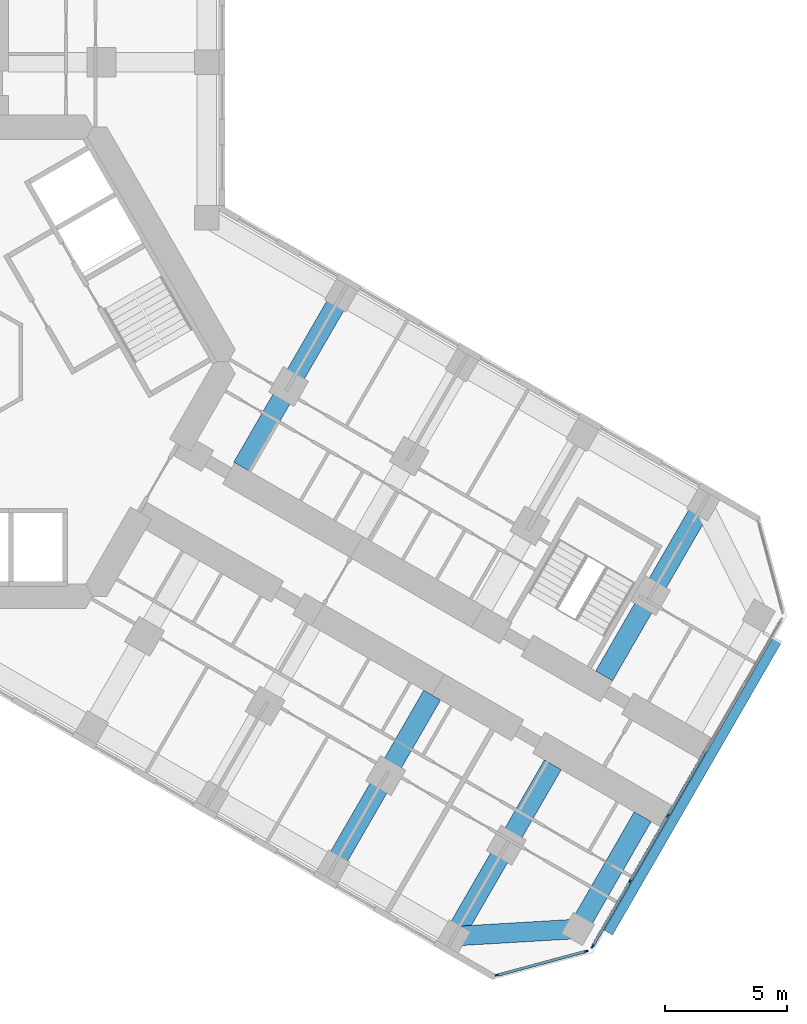
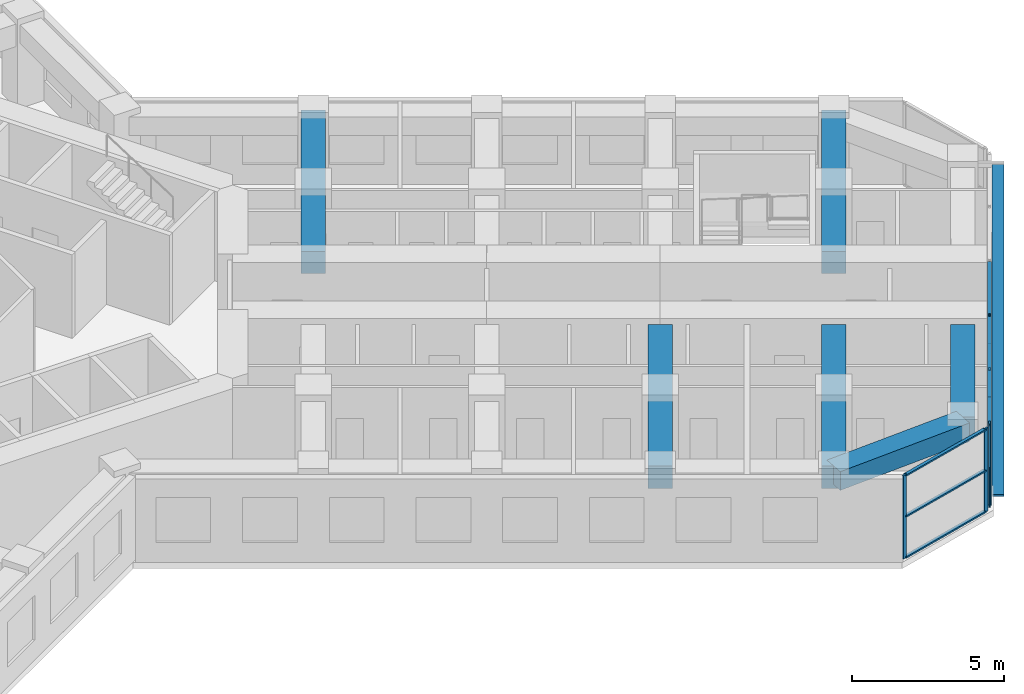
# One storey, part 5 of 21: 15 members, 6 beams, 2 elements without a shape of their own.
"""IFC4 building model written with IfcOpenShell, lengths in metres."""

from ifc_helpers import new_model, si_unit, direction, frame, origin, origin_2d, place, context, subcontext, project, spatial, rectangle, extrude, material, material_profile, profile_set, type_object, element, aggregate, save


model = new_model("IFC4")

# Units and contexts
model_context = context("Model", 3, precision=1e-05, world=origin(), true_north=direction((0.0, 1.0)))
body_context = subcontext(model_context, "Body", "Model", "MODEL_VIEW")
ifc_project = project(units=[si_unit("LENGTHUNIT", "METRE"), si_unit("AREAUNIT", "SQUARE_METRE"), si_unit("VOLUMEUNIT", "CUBIC_METRE"), si_unit("PLANEANGLEUNIT", "RADIAN"), si_unit("MASSUNIT", "GRAM", prefix="KILO")], contexts=[model_context])

# Site, building, storey
site_placement = place(None, origin())
site = spatial("IfcSite", under=ifc_project, at=site_placement, CompositionType="ELEMENT")
building_placement = place(site_placement, origin())
building = spatial("IfcBuilding", under=site, at=building_placement, Name="Kosmar Iwan School Tower", CompositionType="ELEMENT")
storey_placement = place(building_placement, frame((0.0, 0.0, 61.0)))
storey = spatial("IfcBuildingStorey", under=building, at=storey_placement, Name="L14", CompositionType="ELEMENT", Elevation=61.0)

# Member
ifc_material_1 = material(Name="Black anodised aluminium", Category="aluminium")
ifc_material_profile_1 = material_profile(ifc_material_1, rectangle(XDim=0.10009765625, YDim=0.39990234375, at=origin_2d()), Name="FIN 100x400")
ifc_profile_set_1 = profile_set([ifc_material_profile_1], Name="Black anodised aluminium")
member_type_1 = type_object("IfcMemberType", Name="Diagonal fin 100x400", PredefinedType="USERDEFINED", material=ifc_profile_set_1)
member_1_placement = place(storey_placement, frame((26.645263671875, -23.34912109375, -0.14990234375), z_axis=(0.483795538458, 0.837973939202, 0.252470897702), x_axis=(-0.126233699175, -0.218647221293, 0.967604488318)))
element("IfcMember", 1, at=member_1_placement, inside=storey, type_object=member_type_1, Name="Diagonal fin L14-F03", ObjectType="FIN", PredefinedType="USERDEFINED", context=body_context, shape_type="SweptSolid", body=[
    extrude(rectangle(XDim=0.10009765625, YDim=0.39990234375, at=origin_2d()), origin(), (0.0, 0.0, 1.0), 14.258544921875),
])

# Curtain wall, members
ifc_material_2 = material(Name="Dark glass in black aluminium frame", Category="aluminium")
curtain_wall_type_1 = type_object("IfcCurtainWallType", Name="Chamfer curtain wall dark glass", PredefinedType="USERDEFINED", material=ifc_material_2)
curtain_wall_1_placement = place(storey_placement, origin())
curtain_wall_1 = element("IfcCurtainWall", 2, at=curtain_wall_1_placement, inside=storey, type_object=curtain_wall_type_1, Name="Curtain wall L14-F02", ObjectType="FACETED CURTAIN WALL", PredefinedType="USERDEFINED")
ifc_material_3 = material(Name="Black anodised aluminium", Category="aluminium")
ifc_material_profile_2 = material_profile(ifc_material_3, rectangle(XDim=0.06005859375, YDim=0.159912109375, at=origin_2d()), Name="MULLION 60x160")
ifc_profile_set_2 = profile_set([ifc_material_profile_2], Name="Black anodised aluminium")
member_type_2 = type_object("IfcMemberType", Name="Mullion 60x160", PredefinedType="MULLION", material=ifc_profile_set_2)
member_2_placement = place(storey_placement, frame((22.0830078125, -25.102294921875, 0.0), z_axis=(0.0, 0.0, 1.0), x_axis=(-0.258818861462, 0.965925875495, 0.0)))
member_2 = element("IfcMember", 3, at=member_2_placement, type_object=member_type_2, Name="CW2 mullion 1", PredefinedType="MULLION", context=body_context, shape_type="SweptSolid", body=[
    extrude(rectangle(XDim=0.06005859375, YDim=0.159912109375, at=origin_2d()), origin(), (0.0, 0.0, 1.0), 3.35009765625),
])
member_3_placement = place(storey_placement, frame((25.733154296875, -24.124267578125, 0.0), z_axis=(0.0, 0.0, 1.0), x_axis=(-0.258818861462, 0.965925875495, 0.0)))
member_3 = element("IfcMember", 4, at=member_3_placement, type_object=member_type_2, Name="CW2 mullion 2", PredefinedType="MULLION", context=body_context, shape_type="SweptSolid", body=[
    extrude(rectangle(XDim=0.06005859375, YDim=0.159912109375, at=origin_2d()), origin(), (0.0, 0.0, 1.0), 3.35009765625),
])

ifc_material_4 = material(Name="Dark glass in black aluminium frame", Category="aluminium")
curtain_wall_type_2 = type_object("IfcCurtainWallType", Name="Tower curtain wall dark glass", PredefinedType="USERDEFINED", material=ifc_material_4)
curtain_wall_2_placement = place(storey_placement, origin())
curtain_wall_2 = element("IfcCurtainWall", 5, at=curtain_wall_2_placement, inside=storey, type_object=curtain_wall_type_2, Name="Curtain wall L14-F03", ObjectType="UNITISED CURTAIN WALL", PredefinedType="USERDEFINED")
member_4_placement = place(storey_placement, frame((25.9970703125, -23.921630859375, 0.0), z_axis=(0.0, 0.0, 1.0), x_axis=(-0.866025405329, 0.499999997325, 0.0)))
member_4 = element("IfcMember", 6, at=member_4_placement, type_object=member_type_2, Name="CW1 mullion 1", PredefinedType="MULLION", context=body_context, shape_type="SweptSolid", body=[
    extrude(rectangle(XDim=0.06005859375, YDim=0.159912109375, at=origin_2d()), origin(), (0.0, 0.0, 1.0), 3.35009765625),
])
member_5_placement = place(storey_placement, frame((27.53173828125, -21.263671875, 0.0), z_axis=(0.0, 0.0, 1.0), x_axis=(-0.866025405329, 0.499999997325, 0.0)))
member_5 = element("IfcMember", 7, at=member_5_placement, type_object=member_type_2, Name="CW1 mullion 2", PredefinedType="MULLION", context=body_context, shape_type="SweptSolid", body=[
    extrude(rectangle(XDim=0.06005859375, YDim=0.159912109375, at=origin_2d()), origin(), (0.0, 0.0, 1.0), 3.35009765625),
])
member_6_placement = place(storey_placement, frame((29.081298828125, -18.57958984375, 0.0), z_axis=(0.0, 0.0, 1.0), x_axis=(-0.866025405329, 0.499999997325, 0.0)))
member_6 = element("IfcMember", 8, at=member_6_placement, type_object=member_type_2, Name="CW1 mullion 3", PredefinedType="MULLION", context=body_context, shape_type="SweptSolid", body=[
    extrude(rectangle(XDim=0.06005859375, YDim=0.159912109375, at=origin_2d()), origin(), (0.0, 0.0, 1.0), 3.35009765625),
])

# Beams
ifc_material_5 = material(Name="Concrete C50/60", Category="concrete")
ifc_material_profile_3 = material_profile(ifc_material_5, rectangle(XDim=0.800048828125, YDim=0.75, at=origin_2d()), Name="RC 800x750")
ifc_profile_set_3 = profile_set([ifc_material_profile_3], Name="Concrete C50/60")
beam_type_1 = type_object("IfcBeamType", Name="RC tip beam 800x750", PredefinedType="BEAM", material=ifc_profile_set_3)
beam_1_placement = place(storey_placement, frame((20.31787109375, -23.508544921875, 2.97509765625), z_axis=(0.998260616478, 0.058955420358, 0.0), x_axis=(-0.058955420358, 0.998260616478, 0.0)))
element("IfcBeam", 9, at=beam_1_placement, inside=storey, type_object=beam_type_1, Name="Tip beam CR", PredefinedType="BEAM", context=body_context, shape_type="SweptSolid", body=[
    extrude(rectangle(XDim=0.800048828125, YDim=0.75, at=origin_2d()), origin(), (0.0, 0.0, 1.0), 5.08935546875),
])
beam_2_placement = place(storey_placement, frame((25.3984375, -23.20849609375, 2.97509765625), z_axis=(0.499993606316, 0.866029095148, 0.0), x_axis=(-0.866029095148, 0.499993606316, 0.0)))
element("IfcBeam", 10, at=beam_2_placement, inside=storey, type_object=beam_type_1, Name="Tip beam CR to corridor wall", PredefinedType="BEAM", context=body_context, shape_type="SweptSolid", body=[
    extrude(rectangle(XDim=0.800048828125, YDim=0.75, at=origin_2d()), origin(), (0.0, 0.0, 1.0), 5.2998046875),
])
ifc_material_6 = material(Name="Concrete C50/60", Category="concrete")
ifc_material_profile_4 = material_profile(ifc_material_6, rectangle(XDim=0.800048828125, YDim=0.89990234375, at=origin_2d()), Name="RC 800x900")
ifc_profile_set_4 = profile_set([ifc_material_profile_4], Name="Concrete C50/60")
beam_type_2 = type_object("IfcBeamType", Name="RC transverse beam 800x900", PredefinedType="BEAM", material=ifc_profile_set_4)
for number, where, z_axis, x_axis, name in (
    (11, (15.708740234375, 2.70849609375, 2.89990234375), (-0.499999880539, -0.866025472755, 0.0), (0.866025472755, -0.499999880539, 0.0), "Transverse beam CL1"),
    (12, (30.517822265625, -5.841552734375, 2.89990234375), (-0.499999880539, -0.866025472755, 0.0), (0.866025472755, -0.499999880539, 0.0), "Transverse beam CL4"),
    (13, (15.381591796875, -20.658447265625, 2.89990234375), (0.499977274689, 0.866038523851, 0.0), (-0.866038523851, 0.499977274689, 0.0), "Transverse beam CR3"),
    (14, (20.31787109375, -23.508544921875, 2.89990234375), (0.499999880539, 0.866025472755, 0.0), (-0.866025472755, 0.499999880539, 0.0), "Transverse beam CR4"),
):
    element("IfcBeam", number, at=place(storey_placement, frame(where, z_axis=z_axis, x_axis=x_axis)), inside=storey, type_object=beam_type_2, Name=name, PredefinedType="BEAM", context=body_context, shape_type="SweptSolid", body=[
        extrude(rectangle(XDim=0.800048828125, YDim=0.89990234375, at=origin_2d()), origin(), (0.0, 0.0, 1.0), 8.10009765625),
    ])

# Member
ifc_material_7 = material(Name="Black anodised aluminium", Category="aluminium")
ifc_material_profile_5 = material_profile(ifc_material_7, rectangle(XDim=0.1201171875, YDim=0.06005859375, at=origin_2d()), Name="TRANSOM 60x120")
ifc_profile_set_5 = profile_set([ifc_material_profile_5], Name="Black anodised aluminium")
member_type_3 = type_object("IfcMemberType", Name="Transom 60x120", PredefinedType="USERDEFINED", material=ifc_profile_set_5)
member_7_placement = place(storey_placement, frame((22.11181640625, -25.094482421875, 0.030029296875), z_axis=(0.965923731726, 0.258826861991, 0.0), x_axis=(-0.258826861991, 0.965923731726, 0.0)))
member_7 = element("IfcMember", 15, at=member_7_placement, type_object=member_type_3, Name="CW2 transom 1.1", ObjectType="TRANSOM", PredefinedType="USERDEFINED", context=body_context, shape_type="SweptSolid", body=[
    extrude(rectangle(XDim=0.1201171875, YDim=0.06005859375, at=origin_2d()), origin(), (0.0, 0.0, 1.0), 3.71923828125),
])

member_8_placement = place(storey_placement, frame((22.11181640625, -25.094482421875, 1.675048828125), z_axis=(0.965923731726, 0.258826861991, 0.0), x_axis=(-0.258826861991, 0.965923731726, 0.0)))
member_8 = element("IfcMember", 16, at=member_8_placement, type_object=member_type_3, Name="CW2 transom 1.2", ObjectType="TRANSOM", PredefinedType="USERDEFINED", context=body_context, shape_type="SweptSolid", body=[
    extrude(rectangle(XDim=0.1201171875, YDim=0.06005859375, at=origin_2d()), origin(), (0.0, 0.0, 1.0), 3.71923828125),
])

member_9_placement = place(storey_placement, frame((22.11181640625, -25.094482421875, 3.320068359375), z_axis=(0.965923731726, 0.258826861991, 0.0), x_axis=(-0.258826861991, 0.965923731726, 0.0)))
member_9 = element("IfcMember", 17, at=member_9_placement, type_object=member_type_3, Name="CW2 transom 1.3", ObjectType="TRANSOM", PredefinedType="USERDEFINED", context=body_context, shape_type="SweptSolid", body=[
    extrude(rectangle(XDim=0.1201171875, YDim=0.06005859375, at=origin_2d()), origin(), (0.0, 0.0, 1.0), 3.71923828125),
])

aggregate(curtain_wall_1, [member_2, member_3, member_7, member_8, member_9])

member_10_placement = place(storey_placement, frame((26.01220703125, -23.895751953125, 0.030029296875), z_axis=(0.499986971506, 0.866032925658, 0.0), x_axis=(-0.866032925658, 0.499986971506, 0.0)))
member_10 = element("IfcMember", 18, at=member_10_placement, type_object=member_type_3, Name="CW1 transom 1.1", ObjectType="TRANSOM", PredefinedType="USERDEFINED", context=body_context, shape_type="SweptSolid", body=[
    extrude(rectangle(XDim=0.1201171875, YDim=0.06005859375, at=origin_2d()), origin(), (0.0, 0.0, 1.0), 3.00927734375),
])

member_11_placement = place(storey_placement, frame((26.01220703125, -23.895751953125, 3.320068359375), z_axis=(0.499986971506, 0.866032925658, 0.0), x_axis=(-0.866032925658, 0.499986971506, 0.0)))
member_11 = element("IfcMember", 19, at=member_11_placement, type_object=member_type_3, Name="CW1 transom 1.2", ObjectType="TRANSOM", PredefinedType="USERDEFINED", context=body_context, shape_type="SweptSolid", body=[
    extrude(rectangle(XDim=0.1201171875, YDim=0.06005859375, at=origin_2d()), origin(), (0.0, 0.0, 1.0), 3.00927734375),
])

member_12_placement = place(storey_placement, frame((27.546875, -21.237548828125, 0.030029296875), z_axis=(0.499975102327, 0.866039777986, 0.0), x_axis=(-0.866039777986, 0.499975102327, 0.0)))
member_12 = element("IfcMember", 20, at=member_12_placement, type_object=member_type_3, Name="CW1 transom 2.1", ObjectType="TRANSOM", PredefinedType="USERDEFINED", context=body_context, shape_type="SweptSolid", body=[
    extrude(rectangle(XDim=0.1201171875, YDim=0.06005859375, at=origin_2d()), origin(), (0.0, 0.0, 1.0), 3.039306640625),
])

member_13_placement = place(storey_placement, frame((27.546875, -21.237548828125, 3.320068359375), z_axis=(0.499975102327, 0.866039777986, 0.0), x_axis=(-0.866039777986, 0.499975102327, 0.0)))
member_13 = element("IfcMember", 21, at=member_13_placement, type_object=member_type_3, Name="CW1 transom 2.2", ObjectType="TRANSOM", PredefinedType="USERDEFINED", context=body_context, shape_type="SweptSolid", body=[
    extrude(rectangle(XDim=0.1201171875, YDim=0.06005859375, at=origin_2d()), origin(), (0.0, 0.0, 1.0), 3.039306640625),
])

member_14_placement = place(storey_placement, frame((29.096435546875, -18.553466796875, 0.030029296875), z_axis=(0.499975102327, 0.866039777986, 0.0), x_axis=(-0.866039777986, 0.499975102327, 0.0)))
member_14 = element("IfcMember", 22, at=member_14_placement, type_object=member_type_3, Name="CW1 transom 3.1", ObjectType="TRANSOM", PredefinedType="USERDEFINED", context=body_context, shape_type="SweptSolid", body=[
    extrude(rectangle(XDim=0.1201171875, YDim=0.06005859375, at=origin_2d()), origin(), (0.0, 0.0, 1.0), 3.039306640625),
])

member_15_placement = place(storey_placement, frame((29.096435546875, -18.553466796875, 3.320068359375), z_axis=(0.499975102327, 0.866039777986, 0.0), x_axis=(-0.866039777986, 0.499975102327, 0.0)))
member_15 = element("IfcMember", 23, at=member_15_placement, type_object=member_type_3, Name="CW1 transom 3.2", ObjectType="TRANSOM", PredefinedType="USERDEFINED", context=body_context, shape_type="SweptSolid", body=[
    extrude(rectangle(XDim=0.1201171875, YDim=0.06005859375, at=origin_2d()), origin(), (0.0, 0.0, 1.0), 3.039306640625),
])

aggregate(curtain_wall_2, [member_4, member_5, member_6, member_10, member_11, member_12, member_13, member_14, member_15])

save(model, "model.ifc")
